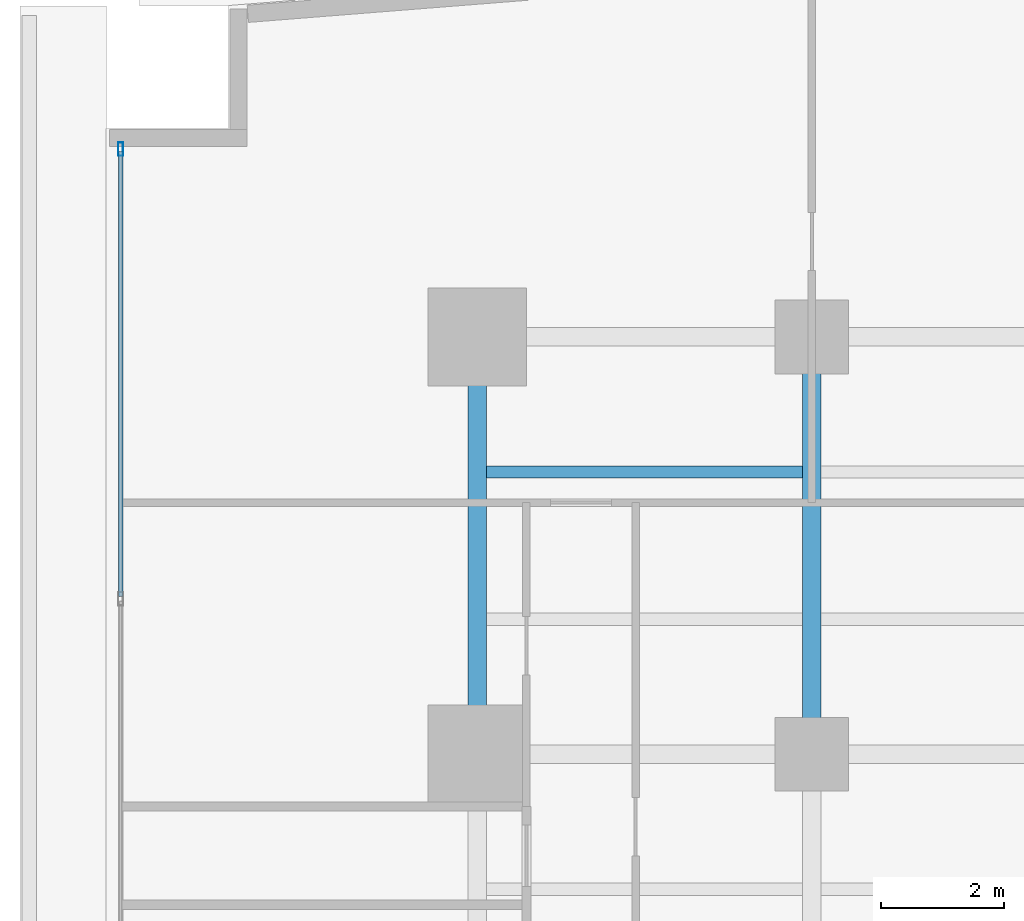
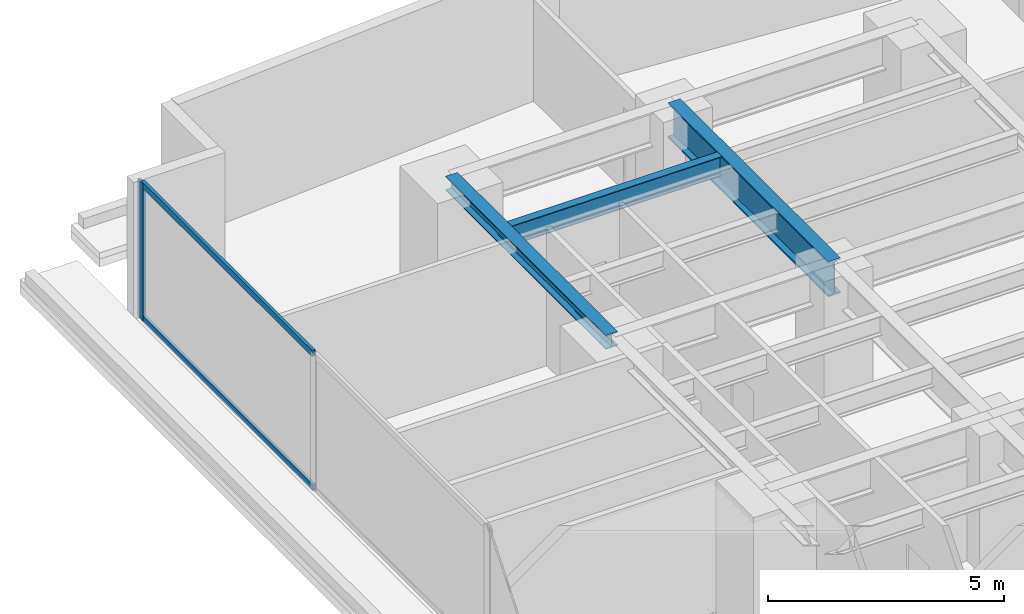
# One storey, part 17 of 29: 3 beams, 3 members, 1 element without a shape of its own.
"""IFC4 building model written with IfcOpenShell, lengths in metres."""

from ifc_helpers import new_model, si_unit, direction, frame, origin, origin_with_axes, origin_2d, place, context, subcontext, project, spatial, hollow_rectangle, i_section, extrude, source, transform, mapped, material, layer, layer_set, material_profile, profile_set, type_object, element, aggregate, save


model = new_model("IFC4")

# Units and contexts
model_context = context("Model", 3, precision=1e-05, world=origin(), true_north=direction((0.0, 1.0)))
body_context = subcontext(model_context, "Body", "Model", "MODEL_VIEW")
ifc_project = project(units=[si_unit("LENGTHUNIT", "METRE"), si_unit("AREAUNIT", "SQUARE_METRE"), si_unit("VOLUMEUNIT", "CUBIC_METRE"), si_unit("PLANEANGLEUNIT", "RADIAN"), si_unit("MASSUNIT", "GRAM", prefix="KILO")], contexts=[model_context])

# Site, building, storey
site_placement = place(None, origin())
site = spatial("IfcSite", under=ifc_project, at=site_placement, CompositionType="ELEMENT")
building_placement = place(site_placement, origin())
building = spatial("IfcBuilding", under=site, at=building_placement, Name="Kolvaren Waterfront Exchange", CompositionType="ELEMENT")
storey_placement = place(building_placement, frame((0.0, 0.0, 29.60009765625)))
storey = spatial("IfcBuildingStorey", under=building, at=storey_placement, Name="L07", CompositionType="ELEMENT", Elevation=29.60009765625)

# Beams
ifc_material_1 = material(Name="Steel S355", Category="steel")
ifc_material_profile_1 = material_profile(ifc_material_1, i_section(OverallWidth=0.300048828125, OverallDepth=0.360107421875, WebThickness=0.012451171875, FlangeThickness=0.0224609375, FilletRadius=0.027099609375, at=origin_2d()), Name="HEB360")
ifc_profile_set_1 = profile_set([ifc_material_profile_1], Name="Steel S355")
beam_type_1 = type_object("IfcBeamType", Name="STR-BM-HEB360", PredefinedType="SPANDREL", material=ifc_profile_set_1)
beam_1_placement = place(storey_placement, frame((7.449951171875, 37.800048828125, 3.35986328125), z_axis=(0.0, 1.0, 0.0), x_axis=(-1.0, 0.0, 0.0)))
element("IfcBeam", 1, at=beam_1_placement, inside=storey, type_object=beam_type_1, Name="L07 north-arm edge beam 3", PredefinedType="SPANDREL", context=body_context, shape_type="SweptSolid", body=[
    extrude(i_section(OverallWidth=0.300048828125, OverallDepth=0.360107421875, WebThickness=0.012451171875, FlangeThickness=0.0224609375, FilletRadius=0.027099609375, at=origin_2d()), origin(), (0.0, 0.0, 1.0), 6.800048828125),
])
ifc_material_profile_2 = material_profile(ifc_material_1, i_section(OverallWidth=0.199951171875, OverallDepth=0.5, WebThickness=0.01025390625, FlangeThickness=0.01611328125, FilletRadius=0.02099609375, at=origin_2d()), Name="IPE500")
ifc_profile_set_2 = profile_set([ifc_material_profile_2], Name="Steel S355")
beam_type_2 = type_object("IfcBeamType", Name="STR-BM-IPE500", PredefinedType="JOIST", material=ifc_profile_set_2)
beam_2_placement = place(storey_placement, frame((7.60205078125, 42.39990234375, 3.289794921875), z_axis=(1.0, 0.0, 0.0), x_axis=(0.0, 1.0, 0.0)))
element("IfcBeam", 2, at=beam_2_placement, inside=storey, type_object=beam_type_2, Name="L07 north-arm composite joist 6A", PredefinedType="JOIST", context=body_context, shape_type="SweptSolid", body=[
    extrude(i_section(OverallWidth=0.199951171875, OverallDepth=0.5, WebThickness=0.01025390625, FlangeThickness=0.01611328125, FilletRadius=0.02099609375, at=origin_2d()), origin(), (0.0, 0.0, 1.0), 5.14501953125),
])
ifc_material_2 = material(Name="Steel S460", Category="steel")
ifc_material_profile_3 = material_profile(ifc_material_2, i_section(OverallWidth=0.302001953125, OverallDepth=0.909912109375, WebThickness=0.02099609375, FlangeThickness=0.0400390625, FilletRadius=0.030029296875, at=origin_2d()), Name="HEM900")
ifc_profile_set_3 = profile_set([ifc_material_profile_3], Name="Steel S460")
beam_type_3 = type_object("IfcBeamType", Name="STR-TRG-HEM900", PredefinedType="BEAM", material=ifc_profile_set_3)
beam_3_placement = place(storey_placement, frame((12.89990234375, 37.800048828125, 3.0849609375), z_axis=(0.0, 1.0, 0.0), x_axis=(-1.0, 0.0, 0.0)))
element("IfcBeam", 3, at=beam_3_placement, inside=storey, type_object=beam_type_3, Name="L07 north-arm edge beam 3", PredefinedType="BEAM", context=body_context, shape_type="SweptSolid", body=[
    extrude(i_section(OverallWidth=0.302001953125, OverallDepth=0.909912109375, WebThickness=0.02099609375, FlangeThickness=0.0400390625, FilletRadius=0.030029296875, at=origin_2d()), origin(), (0.0, 0.0, 1.0), 6.800048828125),
])

# Curtain wall, members
ifc_material_3 = material(Name="Anodised aluminium 6063-T6", Category="aluminium")
ifc_layer = layer(ifc_material_3, 0.219970703125, Name="Anodised aluminium 6063-T6")
ifc_layer_set = layer_set([ifc_layer], Name="Anodised aluminium 6063-T6")
curtain_wall_type = type_object("IfcCurtainWallType", Name="ARC-CW-SYS2", PredefinedType="USERDEFINED", material=ifc_layer_set)
curtain_wall_placement = place(storey_placement, origin())
curtain_wall = element("IfcCurtainWall", 4, at=curtain_wall_placement, inside=storey, type_object=curtain_wall_type, Name="L07 stick curtain wall CW2 (CW-L07-W)", ObjectType="STICK CURTAIN WALL", PredefinedType="USERDEFINED")
ifc_material_profile_4 = material_profile(ifc_material_3, hollow_rectangle(XDim=0.080078125, YDim=0.219970703125, WallThickness=0.0048828125, at=origin_2d()), Name="ALU-MUL-220x80x5")
ifc_profile_set_4 = profile_set([ifc_material_profile_4], Name="Anodised aluminium 6063-T6")
member_type_1 = type_object("IfcMemberType", Name="ARC-CWM-220", PredefinedType="MULLION", material=ifc_profile_set_4)
shared_shape_1 = source(origin_with_axes(), body_context, "Body", "SweptSolid", [
    extrude(hollow_rectangle(XDim=0.080078125, YDim=0.219970703125, WallThickness=0.0048828125, at=origin_2d()), origin(), (0.0, 0.0, 1.0), 3.539794921875),
])
member_1_placement = place(storey_placement, frame((1.639892578125, 47.659912109375, 0.0), z_axis=(0.0, 0.0, 1.0), x_axis=(-1.0, 0.0, 0.0)))
member_1 = element("IfcMember", 5, at=member_1_placement, type_object=member_type_1, Name="CW2 mullion 7", PredefinedType="MULLION", context=body_context, shape_type="MappedRepresentation", body=[
    mapped(shared_shape_1, transform((0.0, 0.0, 0.0), x_axis=(1.0, 0.0, 0.0), y_axis=(0.0, 1.0, 0.0), z_axis=(0.0, 0.0, 1.0), scale=1.0)),
])
ifc_material_profile_5 = material_profile(ifc_material_3, hollow_rectangle(XDim=0.074951171875, YDim=0.159912109375, WallThickness=0.00439453125, at=origin_2d()), Name="ALU-TRN-160x75x4.5")
ifc_profile_set_5 = profile_set([ifc_material_profile_5], Name="Anodised aluminium 6063-T6")
member_type_2 = type_object("IfcMemberType", Name="ARC-CWT-160", PredefinedType="USERDEFINED", material=ifc_profile_set_5)
shared_shape_2 = source(origin_with_axes(), body_context, "Body", "SweptSolid", [
    extrude(hollow_rectangle(XDim=0.074951171875, YDim=0.159912109375, WallThickness=0.00439453125, at=origin_2d()), origin(), (0.0, 0.0, 1.0), 7.246826171875),
])
member_2_placement = place(storey_placement, frame((1.639892578125, 40.373291015625, 0.037353515625), z_axis=(0.0, 1.0, 0.0), x_axis=(-1.0, 0.0, 0.0)))
member_2 = element("IfcMember", 6, at=member_2_placement, type_object=member_type_2, Name="CW2 transom 6.1", ObjectType="TRANSOM", PredefinedType="USERDEFINED", context=body_context, shape_type="MappedRepresentation", body=[
    mapped(shared_shape_2, transform((0.0, 0.0, 0.0), x_axis=(1.0, 0.0, 0.0), y_axis=(0.0, 1.0, 0.0), z_axis=(0.0, 0.0, 1.0), scale=1.0)),
])
member_3_placement = place(storey_placement, frame((1.639892578125, 40.373291015625, 3.50244140625), z_axis=(0.0, 1.0, 0.0), x_axis=(-1.0, 0.0, 0.0)))
member_3 = element("IfcMember", 7, at=member_3_placement, type_object=member_type_2, Name="CW2 transom 6.2", ObjectType="TRANSOM", PredefinedType="USERDEFINED", context=body_context, shape_type="MappedRepresentation", body=[
    mapped(shared_shape_2, transform((0.0, 0.0, 0.0), x_axis=(1.0, 0.0, 0.0), y_axis=(0.0, 1.0, 0.0), z_axis=(0.0, 0.0, 1.0), scale=1.0)),
])
aggregate(curtain_wall, [member_1, member_2, member_3])

save(model, "model.ifc")
